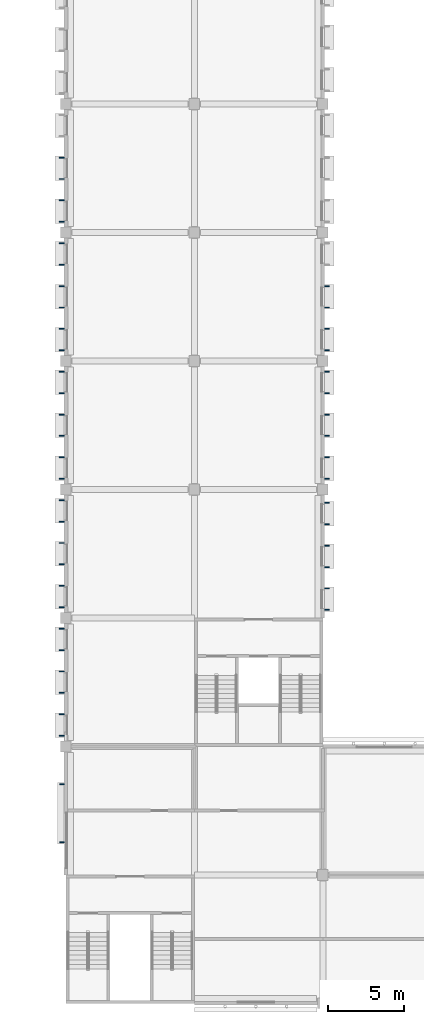
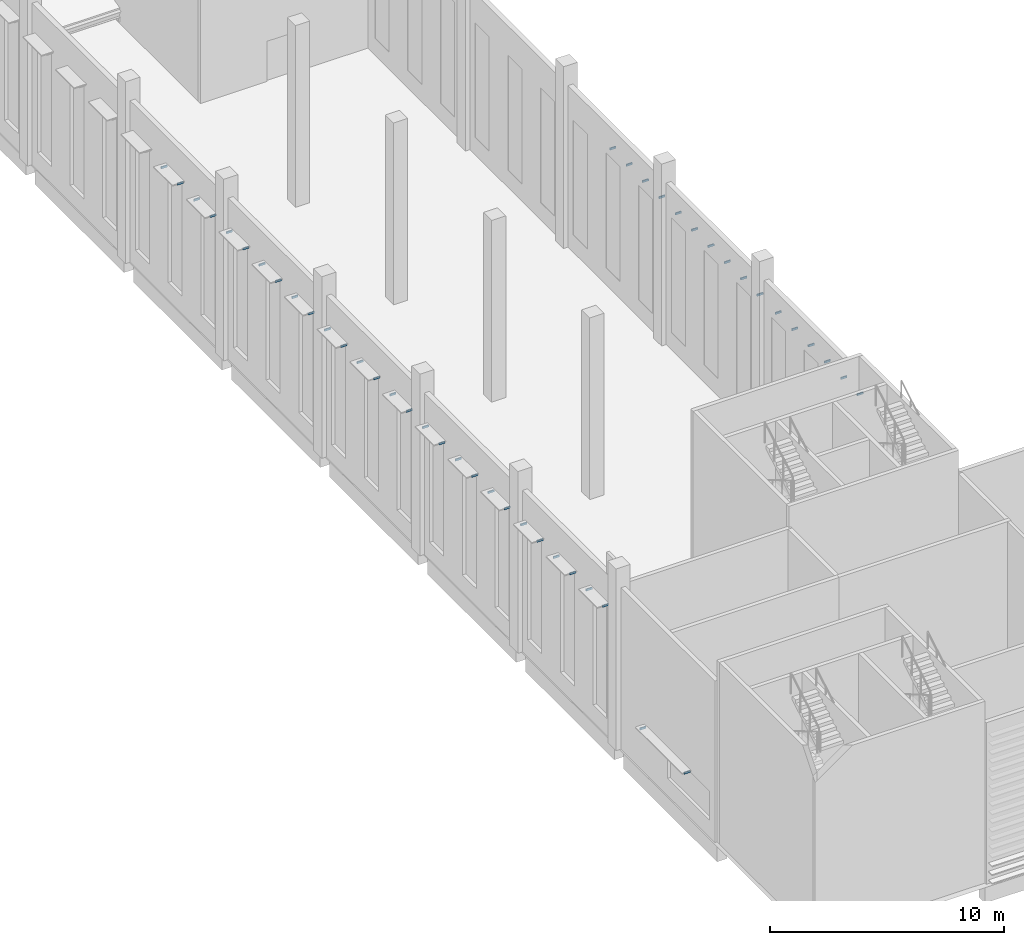
# One storey, part 62 of 114: 46 discrete accessories.
"""IFC4 building model written with IfcOpenShell, lengths in metres."""

from ifc_helpers import new_model, si_unit, direction, frame, origin, origin_2d, place, context, subcontext, project, spatial, rectangle, extrude, material, type_object, element, save


model = new_model("IFC4")

# Units and contexts
model_context = context("Model", 3, precision=1e-05, world=origin(), true_north=direction((0.0, 1.0)))
body_context = subcontext(model_context, "Body", "Model", "MODEL_VIEW")
ifc_project = project(units=[si_unit("LENGTHUNIT", "METRE"), si_unit("AREAUNIT", "SQUARE_METRE"), si_unit("VOLUMEUNIT", "CUBIC_METRE"), si_unit("PLANEANGLEUNIT", "RADIAN"), si_unit("MASSUNIT", "GRAM", prefix="KILO")], contexts=[model_context])

# Site, building, storey
site_placement = place(None, origin())
site = spatial("IfcSite", under=ifc_project, at=site_placement, CompositionType="ELEMENT")
building_placement = place(site_placement, origin())
building = spatial("IfcBuilding", under=site, at=building_placement, Name="Almond Square Museum", CompositionType="ELEMENT")
storey_placement = place(building_placement, frame((0.0, 0.0, 10.5)))
storey = spatial("IfcBuildingStorey", under=building, at=storey_placement, Name="L02", CompositionType="ELEMENT", Elevation=10.5)

# Discrete accessories
ifc_material = material(Name="Stainless steel", Category="steel")
discrete_accessory_type = type_object("IfcDiscreteAccessoryType", Name="Sun-shade blade bracket", PredefinedType="BRACKET", material=ifc_material)
for number, where, z_axis, x_axis, name in (
    (1, (23.072998046875, 25.72509765625, 6.89697265625), (0.0, 0.0, 1.0), (1.0, 0.0, 0.0), "Bracket sun-shade blade"),
    (2, (23.072998046875, 27.125, 6.89697265625), (0.0, 0.0, 1.0), (1.0, 0.0, 0.0), "Bracket sun-shade blade"),
    (3, (23.072998046875, 28.52490234375, 6.89697265625), (0.0, 0.0, 1.0), (1.0, 0.0, 0.0), "Bracket sun-shade blade"),
    (4, (23.072998046875, 29.925048828125, 6.89697265625), (0.0, 0.0, 1.0), (1.0, 0.0, 0.0), "Bracket sun-shade blade"),
    (5, (23.072998046875, 31.324951171875, 6.89697265625), (0.0, 0.0, 1.0), (1.0, 0.0, 0.0), "Bracket sun-shade blade"),
    (6, (23.072998046875, 32.72509765625, 6.89697265625), (0.0, 0.0, 1.0), (1.0, 0.0, 0.0), "Bracket sun-shade blade"),
    (7, (23.072998046875, 34.300048828125, 6.89697265625), (0.0, 0.0, 1.0), (1.0, 0.0, 0.0), "Bracket sun-shade blade"),
    (8, (23.072998046875, 35.699951171875, 6.89697265625), (0.0, 0.0, 1.0), (1.0, 0.0, 0.0), "Bracket sun-shade blade"),
    (9, (23.072998046875, 37.10009765625, 6.89697265625), (0.0, 0.0, 1.0), (1.0, 0.0, 0.0), "Bracket sun-shade blade"),
    (10, (23.072998046875, 38.5, 6.89697265625), (0.0, 0.0, 1.0), (1.0, 0.0, 0.0), "Bracket sun-shade blade"),
    (11, (23.072998046875, 39.89990234375, 6.89697265625), (0.0, 0.0, 1.0), (1.0, 0.0, 0.0), "Bracket sun-shade blade"),
    (12, (23.072998046875, 41.300048828125, 6.89697265625), (0.0, 0.0, 1.0), (1.0, 0.0, 0.0), "Bracket sun-shade blade"),
    (13, (23.072998046875, 42.699951171875, 6.89697265625), (0.0, 0.0, 1.0), (1.0, 0.0, 0.0), "Bracket sun-shade blade"),
    (14, (23.072998046875, 44.10009765625, 6.89697265625), (0.0, 0.0, 1.0), (1.0, 0.0, 0.0), "Bracket sun-shade blade"),
    (15, (23.072998046875, 45.5, 6.89697265625), (0.0, 0.0, 1.0), (1.0, 0.0, 0.0), "Bracket sun-shade blade"),
    (16, (23.072998046875, 46.89990234375, 6.89697265625), (0.0, 0.0, 1.0), (1.0, 0.0, 0.0), "Bracket sun-shade blade"),
    (17, (5.72705078125, 51.10009765625, 6.89697265625), (0.0, 0.0, 1.0), (1.0, 0.0, 0.0), "Bracket sun-shade blade"),
    (18, (5.72705078125, 52.5, 6.89697265625), (0.0, 0.0, 1.0), (1.0, 0.0, 0.0), "Bracket sun-shade blade"),
    (19, (5.72705078125, 53.89990234375, 6.89697265625), (0.0, 0.0, 1.0), (1.0, 0.0, 0.0), "Bracket sun-shade blade"),
    (20, (5.72705078125, 55.300048828125, 6.89697265625), (0.0, 0.0, 1.0), (1.0, 0.0, 0.0), "Bracket sun-shade blade"),
    (21, (5.72705078125, 42.699951171875, 6.89697265625), (0.0, 0.0, 1.0), (1.0, 0.0, 0.0), "Bracket sun-shade blade"),
    (22, (5.72705078125, 44.10009765625, 6.89697265625), (0.0, 0.0, 1.0), (1.0, 0.0, 0.0), "Bracket sun-shade blade"),
    (23, (5.72705078125, 45.5, 6.89697265625), (0.0, 0.0, 1.0), (1.0, 0.0, 0.0), "Bracket sun-shade blade"),
    (24, (5.72705078125, 46.89990234375, 6.89697265625), (0.0, 0.0, 1.0), (1.0, 0.0, 0.0), "Bracket sun-shade blade"),
    (25, (5.72705078125, 48.300048828125, 6.89697265625), (0.0, 0.0, 1.0), (1.0, 0.0, 0.0), "Bracket sun-shade blade"),
    (26, (5.72705078125, 49.699951171875, 6.89697265625), (0.0, 0.0, 1.0), (1.0, 0.0, 0.0), "Bracket sun-shade blade"),
    (27, (5.72705078125, 34.300048828125, 6.89697265625), (0.0, 0.0, 1.0), (1.0, 0.0, 0.0), "Bracket sun-shade blade"),
    (28, (5.72705078125, 35.699951171875, 6.89697265625), (0.0, 0.0, 1.0), (1.0, 0.0, 0.0), "Bracket sun-shade blade"),
    (29, (5.72705078125, 37.10009765625, 6.89697265625), (0.0, 0.0, 1.0), (1.0, 0.0, 0.0), "Bracket sun-shade blade"),
    (30, (5.72705078125, 38.5, 6.89697265625), (0.0, 0.0, 1.0), (1.0, 0.0, 0.0), "Bracket sun-shade blade"),
    (31, (5.72705078125, 39.89990234375, 6.89697265625), (0.0, 0.0, 1.0), (1.0, 0.0, 0.0), "Bracket sun-shade blade"),
    (32, (5.72705078125, 41.300048828125, 6.89697265625), (0.0, 0.0, 1.0), (1.0, 0.0, 0.0), "Bracket sun-shade blade"),
    (33, (5.72705078125, 25.89990234375, 6.89697265625), (0.0, 0.0, 1.0), (1.0, 0.0, 0.0), "Bracket sun-shade blade"),
    (34, (5.72705078125, 27.300048828125, 6.89697265625), (0.0, 0.0, 1.0), (1.0, 0.0, 0.0), "Bracket sun-shade blade"),
    (35, (5.72705078125, 28.699951171875, 6.89697265625), (0.0, 0.0, 1.0), (1.0, 0.0, 0.0), "Bracket sun-shade blade"),
    (36, (5.72705078125, 30.10009765625, 6.89697265625), (0.0, 0.0, 1.0), (1.0, 0.0, 0.0), "Bracket sun-shade blade"),
    (37, (5.72705078125, 31.5, 6.89697265625), (0.0, 0.0, 1.0), (1.0, 0.0, 0.0), "Bracket sun-shade blade"),
    (38, (5.72705078125, 32.89990234375, 6.89697265625), (0.0, 0.0, 1.0), (1.0, 0.0, 0.0), "Bracket sun-shade blade"),
    (39, (5.72705078125, 17.5, 6.89697265625), (0.0, 0.0, 1.0), (1.0, 0.0, 0.0), "Bracket sun-shade blade"),
    (40, (5.72705078125, 18.89990234375, 6.89697265625), (0.0, 0.0, 1.0), (1.0, 0.0, 0.0), "Bracket sun-shade blade"),
    (41, (5.72705078125, 20.300048828125, 6.89697265625), (0.0, 0.0, 1.0), (1.0, 0.0, 0.0), "Bracket sun-shade blade"),
    (42, (5.72705078125, 21.699951171875, 6.89697265625), (0.0, 0.0, 1.0), (1.0, 0.0, 0.0), "Bracket sun-shade blade"),
    (43, (5.72705078125, 23.10009765625, 6.89697265625), (0.0, 0.0, 1.0), (1.0, 0.0, 0.0), "Bracket sun-shade blade"),
    (44, (5.72705078125, 24.5, 6.89697265625), (0.0, 0.0, 1.0), (1.0, 0.0, 0.0), "Bracket sun-shade blade"),
    (45, (5.741943359375, 10.52490234375, 2.39697265625), (0.0, 0.0, 1.0), (1.0, 0.0, 0.0), "Bracket sun-shade blade"),
    (46, (5.741943359375, 14.324951171875, 2.39697265625), (0.0, 0.0, 1.0), (1.0, 0.0, 0.0), "Bracket sun-shade blade"),
):
    element("IfcDiscreteAccessory", number, at=place(storey_placement, frame(where, z_axis=z_axis, x_axis=x_axis)), inside=storey, type_object=discrete_accessory_type, Name=name, PredefinedType="BRACKET", context=body_context, shape_type="SweptSolid", body=[
        extrude(rectangle(XDim=0.300048828125, YDim=0.06005859375, at=origin_2d()), origin(), (0.0, 0.0, 1.0), 0.10009765625),
    ])

save(model, "model.ifc")
